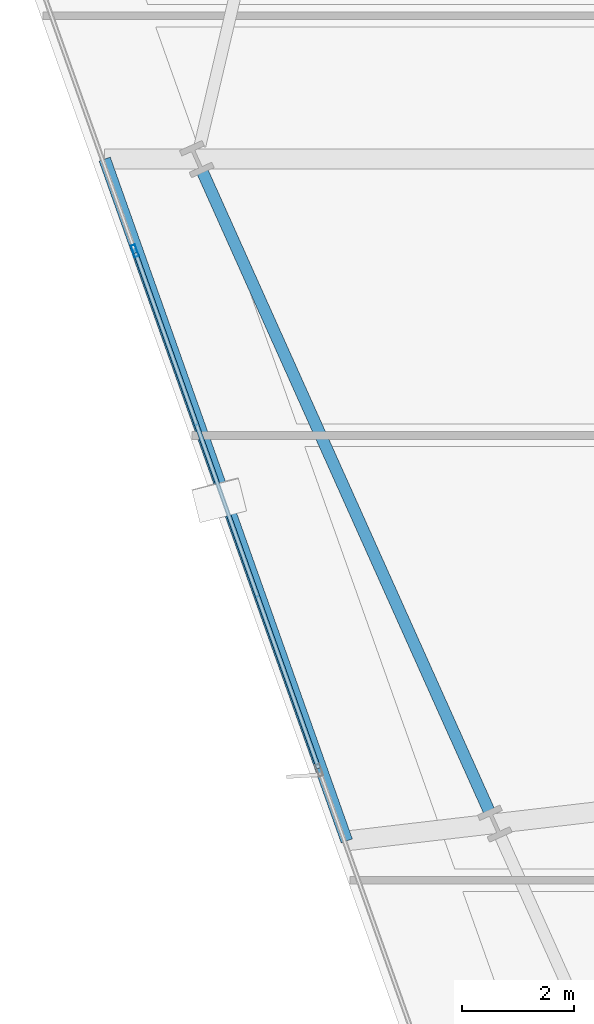
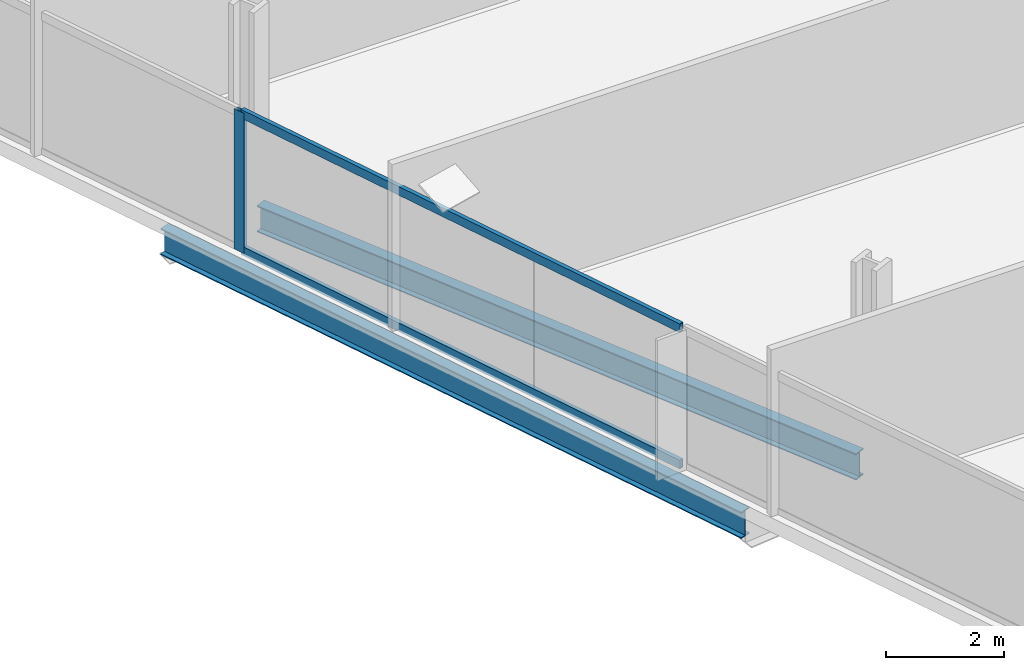
# One storey, part 6 of 33: 3 members, 2 beams, 1 element without a shape of its own.
"""IFC4 building model written with IfcOpenShell, lengths in metres."""

import ifcopenshell
import ifcopenshell.guid

model = None  # the IFC model being written
_history = None  # IfcOwnerHistory: only IFC2X3 demands one
_inside = {}  # id of a spatial element -> (the spatial element, [elements in it])
_under = {}  # id of a project, library or spatial element -> (it, [spatial elements below it])
_declared = {}  # id of a project -> (the project, [libraries it declares])
_typed = {}  # id of a type object -> (the type object, [elements of that type])
_made_of = {}  # id of a material, layer set ... -> (it, [elements and type objects made of it])


def new_model(schema):
    """Start an empty IFC model of exactly this schema.

    Asked for "IFC4X3", IfcOpenShell would pick the latest addendum, in which some entities
    have other attributes; the version numbers below select the first issue.
    IFC2X3 requires an IfcOwnerHistory on every rooted entity: one is made here for all.
    """
    global model, _history
    if schema == "IFC4X3":
        model = ifcopenshell.file(schema_version=(4, 3, 0, 0))
    else:
        model = ifcopenshell.file(schema=schema)
    _inside.clear()
    _under.clear()
    _declared.clear()
    _typed.clear()
    _made_of.clear()
    _history = None
    if model.schema == "IFC2X3":
        org = make("IfcOrganization", Name="unknown")
        user = make(
            "IfcPersonAndOrganization",
            ThePerson=make("IfcPerson", FamilyName="unknown"),
            TheOrganization=org,
        )
        app = make(
            "IfcApplication",
            ApplicationDeveloper=org,
            Version="unknown",
            ApplicationFullName="unknown",
            ApplicationIdentifier="unknown",
        )
        _history = make(
            "IfcOwnerHistory",
            OwningUser=user,
            OwningApplication=app,
            ChangeAction="ADDED",
            CreationDate=0,
        )
    return model


def make(cls, **values):
    """One entity of the class cls with the attributes given. An attribute that is None is left unset."""
    return model.create_entity(
        cls, **{name: value for name, value in values.items() if value is not None}
    )


def rooted(cls, **values):
    """An entity with a GlobalId (a new one), such as an element, a storey or a relation."""
    return make(cls, GlobalId=ifcopenshell.guid.new(), OwnerHistory=_history, **values)


def si_unit(unit_type, name, prefix=None):
    """IfcSIUnit, for example si_unit("LENGTHUNIT", "METRE", prefix="MILLI")."""
    return make("IfcSIUnit", UnitType=unit_type, Prefix=prefix, Name=name)


def assignment(units):
    """IfcUnitAssignment: the units of a project."""
    return None if units is None else make("IfcUnitAssignment", Units=units)


def point(xyz):
    """IfcCartesianPoint."""
    return None if xyz is None else make("IfcCartesianPoint", Coordinates=xyz)


def direction(xyz):
    """IfcDirection."""
    return None if xyz is None else make("IfcDirection", DirectionRatios=xyz)


def frame(location, z_axis=None, x_axis=None):
    """IfcAxis2Placement3D, a coordinate frame: its origin and axes. An axis left out is left unset."""
    return make(
        "IfcAxis2Placement3D",
        Location=point(location),
        Axis=direction(z_axis),
        RefDirection=direction(x_axis),
    )


def frame_2d(location, x_axis=None):
    """IfcAxis2Placement2D, a coordinate frame in the plane: its origin and x axis."""
    return make(
        "IfcAxis2Placement2D", Location=point(location), RefDirection=direction(x_axis)
    )


def origin():
    """The frame at (0, 0, 0) with its axes left unset."""
    return frame((0.0, 0.0, 0.0))


def origin_2d():
    """The frame at (0, 0) in the plane with its x axis left unset."""
    return frame_2d((0.0, 0.0))


def place(relative_to, where):
    """IfcLocalPlacement: puts the frame where relative to a parent placement (None: the world)."""
    return make(
        "IfcLocalPlacement", PlacementRelTo=relative_to, RelativePlacement=where
    )


def context(
    kind, dimensions, precision=None, world=None, true_north=None, identifier=None
):
    """IfcGeometricRepresentationContext, for example the 3D "Model" context."""
    return make(
        "IfcGeometricRepresentationContext",
        ContextIdentifier=identifier,
        ContextType=kind,
        CoordinateSpaceDimension=dimensions,
        Precision=precision,
        WorldCoordinateSystem=world,
        TrueNorth=true_north,
    )


def subcontext(parent, identifier, kind, view, scale=None):
    """IfcGeometricRepresentationSubContext, for example "Body" below "Model"."""
    return make(
        "IfcGeometricRepresentationSubContext",
        ContextIdentifier=identifier,
        ContextType=kind,
        ParentContext=parent,
        TargetScale=scale,
        TargetView=view,
    )


def project(units=None, contexts=None):
    """IfcProject with its units and contexts."""
    return rooted(
        "IfcProject",
        Name="project",
        RepresentationContexts=contexts,
        UnitsInContext=assignment(units),
    )


def spatial(cls, under=None, at=None, **own):
    """A site, building, storey or space (cls), placed at a placement, below another one or the project."""
    s = rooted(cls, ObjectPlacement=at, **own)
    if under is not None:
        _under.setdefault(under.id(), (under, []))[1].append(s)
    return s


def profile(cls, at=None, kind="AREA", **sizes):
    """A parametric profile (cls). Its sizes go by their IFC names, for example OverallWidth=200.0."""
    return make(cls, ProfileType=kind, Position=at, **sizes)


def hollow_rectangle(**sizes):
    """IfcRectangleHollowProfileDef."""
    return profile("IfcRectangleHollowProfileDef", **sizes)


def i_section(**sizes):
    """IfcIShapeProfileDef."""
    return profile("IfcIShapeProfileDef", **sizes)


def extrude(swept, where, along, depth):
    """IfcExtrudedAreaSolid: the profile swept, set in the frame where, extruded along a direction by depth."""
    return make(
        "IfcExtrudedAreaSolid",
        SweptArea=swept,
        Position=where,
        ExtrudedDirection=direction(along),
        Depth=depth,
    )


def shape(context_of_items, identifier, shape_type, items):
    """IfcShapeRepresentation: the items that make up one representation, for example the "Body"."""
    return make(
        "IfcShapeRepresentation",
        ContextOfItems=context_of_items,
        RepresentationIdentifier=identifier,
        RepresentationType=shape_type,
        Items=items,
    )


def material(Name=None, Category=None):
    """IfcMaterial."""
    return make("IfcMaterial", Name=Name, Category=Category)


def material_profile(
    of_material, cross_section, Name=None, Category=None, Priority=None
):
    """IfcMaterialProfile: a cross section and its material."""
    return make(
        "IfcMaterialProfile",
        Name=Name,
        Material=of_material,
        Profile=cross_section,
        Priority=Priority,
        Category=Category,
    )


def profile_set(profiles, Name=None, composite=None):
    """IfcMaterialProfileSet."""
    return make(
        "IfcMaterialProfileSet",
        Name=Name,
        MaterialProfiles=profiles,
        CompositeProfile=composite,
    )


def made_of(thing, what):
    """Note that an element or type object is made of a material, layer set ...; save() writes the relation."""
    if what is not None:
        _made_of.setdefault(what.id(), (what, []))[1].append(thing)
    return thing


def type_object(cls, material=None, **own):
    """A type object (cls), such as IfcWallType, which elements share."""
    return made_of(rooted(cls, **own), material)


def element(
    cls,
    number,
    at=None,
    inside=None,
    cuts=None,
    type_object=None,
    material=None,
    context=None,
    identifier="Body",
    shape_type=None,
    held_by="IfcProductDefinitionShape",
    body=None,
    shapes=None,
    **own,
):
    """One element of the class cls, such as IfcWall. Its Tag is "e" and its number.

    at: its placement. inside: the storey or other place that contains it. cuts: it is an
    opening in that element (IfcRelVoidsElement). A single representation is given by context,
    identifier, shape_type and body (its items); several are given by shapes. held_by: the class
    of the entity that holds the representations. save() writes the other relations.
    """
    e = rooted(cls, Tag="e%d" % number, ObjectPlacement=at, **own)
    if body is not None:
        shapes = [shape(context, identifier, shape_type, body)]
    if shapes is not None:
        e.Representation = make(held_by, Representations=shapes)
    if inside is not None:
        _inside.setdefault(inside.id(), (inside, []))[1].append(e)
    if cuts is not None:
        rooted(
            "IfcRelVoidsElement", RelatingBuildingElement=cuts, RelatedOpeningElement=e
        )
    if type_object is not None:
        _typed.setdefault(type_object.id(), (type_object, []))[1].append(e)
    return made_of(e, material)


def aggregate(whole, parts):
    """IfcRelAggregates: a whole, such as a stair, and the parts it consists of."""
    return rooted("IfcRelAggregates", RelatingObject=whole, RelatedObjects=parts)


def save(model, path):
    """Write the relations noted so far, then the file.

    IfcRelAggregates (storeys below a building ...), IfcRelContainedInSpatialStructure (elements
    in a storey), IfcRelDefinesByType, IfcRelAssociatesMaterial and IfcRelDeclares: one each for
    every whole, place, type object, material and project.
    """
    for whole, parts in _under.values():
        aggregate(whole, parts)
    for where, things in _inside.values():
        rooted(
            "IfcRelContainedInSpatialStructure",
            RelatedElements=things,
            RelatingStructure=where,
        )
    for kind, things in _typed.values():
        rooted("IfcRelDefinesByType", RelatedObjects=things, RelatingType=kind)
    for what, things in _made_of.values():
        rooted("IfcRelAssociatesMaterial", RelatedObjects=things, RelatingMaterial=what)
    for by, libraries in _declared.values():
        rooted("IfcRelDeclares", RelatingContext=by, RelatedDefinitions=libraries)
    model.write(path)


model = new_model("IFC4")

# Units and contexts
model_context = context("Model", 3, precision=1e-05, world=origin(), true_north=direction((0.0, 1.0)))
body_context = subcontext(model_context, "Body", "Model", "MODEL_VIEW")
ifc_project = project(units=[si_unit("LENGTHUNIT", "METRE"), si_unit("AREAUNIT", "SQUARE_METRE"), si_unit("VOLUMEUNIT", "CUBIC_METRE"), si_unit("PLANEANGLEUNIT", "RADIAN"), si_unit("MASSUNIT", "GRAM", prefix="KILO")], contexts=[model_context])

# Site, building, storey
site_placement = place(None, origin())
site = spatial("IfcSite", under=ifc_project, at=site_placement, CompositionType="ELEMENT")
building_placement = place(site_placement, origin())
building = spatial("IfcBuilding", under=site, at=building_placement, Name="Haldenkirk Collegiate Tower", CompositionType="ELEMENT")
storey_placement = place(building_placement, frame((0.0, 0.0, 94.199951171875)))
storey = spatial("IfcBuildingStorey", under=building, at=storey_placement, Name="L22", CompositionType="ELEMENT", Elevation=94.199951171875)

# Beams
ifc_material_1 = material(Name="Steel ASTM A992 Grade 50", Category="steel")
ifc_material_profile_1 = material_profile(ifc_material_1, i_section(OverallWidth=0.2119140625, OverallDepth=0.5439453125, WebThickness=0.01318359375, FlangeThickness=0.021240234375, at=origin_2d()), Name="W21X83")
ifc_profile_set_1 = profile_set([ifc_material_profile_1], Name="Steel ASTM A992 Grade 50")
beam_type = type_object("IfcBeamType", Name="BM-SPANDREL-W21X83", PredefinedType="SPANDREL", material=ifc_profile_set_1)
beam_1_placement = place(storey_placement, frame((9.418212890625, 28.212890625, -0.572021484375), z_axis=(0.409115233697, -0.912482726169, 0.0), x_axis=(0.912482726169, 0.409115233697, 0.0)))
element("IfcBeam", 1, at=beam_1_placement, inside=storey, type_object=beam_type, Name="L22 perimeter spandrel beam 14", PredefinedType="SPANDREL", context=body_context, shape_type="SweptSolid", body=[
    extrude(i_section(OverallWidth=0.2119140625, OverallDepth=0.5439453125, WebThickness=0.01318359375, FlangeThickness=0.021240234375, at=origin_2d()), origin(), (0.0, 0.0, 1.0), 12.524169921875),
])
beam_2_placement = place(storey_placement, frame((7.67138671875, 28.436767578125, -0.572021484375), z_axis=(0.334624075552, -0.942351700832, 0.0), x_axis=(0.942351700832, 0.334624075552, 0.0)))
element("IfcBeam", 2, at=beam_2_placement, inside=storey, type_object=beam_type, Name="L22 outer facade edge beam 4", PredefinedType="SPANDREL", context=body_context, shape_type="SweptSolid", body=[
    extrude(i_section(OverallWidth=0.2119140625, OverallDepth=0.5439453125, WebThickness=0.01318359375, FlangeThickness=0.021240234375, at=origin_2d()), origin(), (0.0, 0.0, 1.0), 12.92919921875),
])

# Curtain wall, members
ifc_material_2 = material(Name="Anodised architectural bronze aluminium", Category="aluminium")
curtain_wall_type = type_object("IfcCurtainWallType", Name="CW-SYS1-CONVEX-LOW", PredefinedType="USERDEFINED", material=ifc_material_2)
curtain_wall_placement = place(storey_placement, origin())
curtain_wall = element("IfcCurtainWall", 3, at=curtain_wall_placement, inside=storey, type_object=curtain_wall_type, Name="L22 Lower tower convex bronze-framed unitised curtain wall", ObjectType="UNITISED CURTAIN WALL", PredefinedType="USERDEFINED")
ifc_material_profile_2 = material_profile(ifc_material_2, hollow_rectangle(XDim=0.080078125, YDim=0.219970703125, WallThickness=0.0048828125, at=origin_2d()), Name="CW-MUL-1A")
ifc_profile_set_2 = profile_set([ifc_material_profile_2], Name="Anodised architectural bronze aluminium")
member_type_1 = type_object("IfcMemberType", Name="CW-MUL-1A", PredefinedType="MULLION", material=ifc_profile_set_2)
member_1_placement = place(storey_placement, frame((8.211181640625, 26.797119140625, 0.0), z_axis=(0.0, 0.0, 1.0), x_axis=(-0.942350931235, -0.334626242845, 0.0)))
member_1 = element("IfcMember", 4, at=member_1_placement, type_object=member_type_1, Name="CW-1A mullion 4", PredefinedType="MULLION", context=body_context, shape_type="SweptSolid", body=[
    extrude(hollow_rectangle(XDim=0.080078125, YDim=0.219970703125, WallThickness=0.0048828125, at=origin_2d()), origin(), (0.0, 0.0, 1.0), 2.901123046875),
])
ifc_material_profile_3 = material_profile(ifc_material_2, hollow_rectangle(XDim=0.080078125, YDim=0.179931640625, WallThickness=0.0048828125, at=origin_2d()), Name="CW-TRN-1A")
ifc_profile_set_3 = profile_set([ifc_material_profile_3], Name="Anodised architectural bronze aluminium")
member_type_2 = type_object("IfcMemberType", Name="CW-TRN-1A", PredefinedType="USERDEFINED", material=ifc_profile_set_3)
member_2_placement = place(storey_placement, frame((11.493896484375, 17.552490234375, 0.0400390625), z_axis=(-0.334624619815, 0.942351507567, 0.0), x_axis=(-0.942351507567, -0.334624619815, 0.0)))
member_2 = element("IfcMember", 5, at=member_2_placement, type_object=member_type_2, Name="CW-1A transom 3.1", ObjectType="TRANSOM", PredefinedType="USERDEFINED", context=body_context, shape_type="SweptSolid", body=[
    extrude(hollow_rectangle(XDim=0.080078125, YDim=0.179931640625, WallThickness=0.0048828125, at=origin_2d()), origin(), (0.0, 0.0, 1.0), 9.77001953125),
])
member_3_placement = place(storey_placement, frame((11.493896484375, 17.552490234375, 2.861083984375), z_axis=(-0.334624619815, 0.942351507567, 0.0), x_axis=(-0.942351507567, -0.334624619815, 0.0)))
member_3 = element("IfcMember", 6, at=member_3_placement, type_object=member_type_2, Name="CW-1A transom 3.2", ObjectType="TRANSOM", PredefinedType="USERDEFINED", context=body_context, shape_type="SweptSolid", body=[
    extrude(hollow_rectangle(XDim=0.080078125, YDim=0.179931640625, WallThickness=0.0048828125, at=origin_2d()), origin(), (0.0, 0.0, 1.0), 9.77001953125),
])
aggregate(curtain_wall, [member_1, member_2, member_3])

save(model, "model.ifc")
